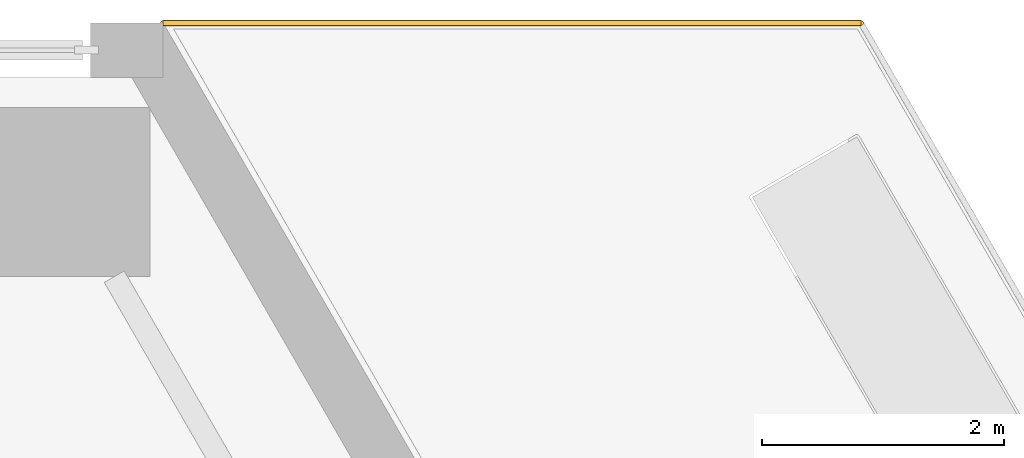
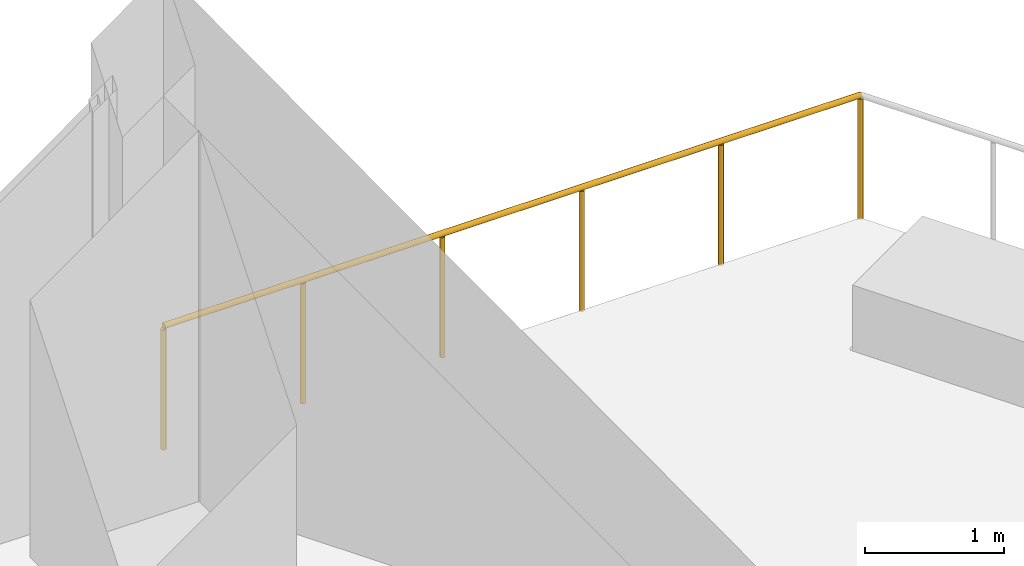
# One storey, part 25 of 25: 1 railing.
"""IFC4 building model written with IfcOpenShell, lengths in metres."""

import ifcopenshell
import ifcopenshell.guid

model = None  # the IFC model being written
_history = None  # IfcOwnerHistory: only IFC2X3 demands one
_inside = {}  # id of a spatial element -> (the spatial element, [elements in it])
_under = {}  # id of a project, library or spatial element -> (it, [spatial elements below it])
_declared = {}  # id of a project -> (the project, [libraries it declares])
_typed = {}  # id of a type object -> (the type object, [elements of that type])
_made_of = {}  # id of a material, layer set ... -> (it, [elements and type objects made of it])


def new_model(schema):
    """Start an empty IFC model of exactly this schema.

    Asked for "IFC4X3", IfcOpenShell would pick the latest addendum, in which some entities
    have other attributes; the version numbers below select the first issue.
    IFC2X3 requires an IfcOwnerHistory on every rooted entity: one is made here for all.
    """
    global model, _history
    if schema == "IFC4X3":
        model = ifcopenshell.file(schema_version=(4, 3, 0, 0))
    else:
        model = ifcopenshell.file(schema=schema)
    _inside.clear()
    _under.clear()
    _declared.clear()
    _typed.clear()
    _made_of.clear()
    _history = None
    if model.schema == "IFC2X3":
        org = make("IfcOrganization", Name="unknown")
        user = make(
            "IfcPersonAndOrganization",
            ThePerson=make("IfcPerson", FamilyName="unknown"),
            TheOrganization=org,
        )
        app = make(
            "IfcApplication",
            ApplicationDeveloper=org,
            Version="unknown",
            ApplicationFullName="unknown",
            ApplicationIdentifier="unknown",
        )
        _history = make(
            "IfcOwnerHistory",
            OwningUser=user,
            OwningApplication=app,
            ChangeAction="ADDED",
            CreationDate=0,
        )
    return model


def make(cls, **values):
    """One entity of the class cls with the attributes given. An attribute that is None is left unset."""
    return model.create_entity(
        cls, **{name: value for name, value in values.items() if value is not None}
    )


def rooted(cls, **values):
    """An entity with a GlobalId (a new one), such as an element, a storey or a relation."""
    return make(cls, GlobalId=ifcopenshell.guid.new(), OwnerHistory=_history, **values)


def si_unit(unit_type, name, prefix=None):
    """IfcSIUnit, for example si_unit("LENGTHUNIT", "METRE", prefix="MILLI")."""
    return make("IfcSIUnit", UnitType=unit_type, Prefix=prefix, Name=name)


def assignment(units):
    """IfcUnitAssignment: the units of a project."""
    return None if units is None else make("IfcUnitAssignment", Units=units)


def point(xyz):
    """IfcCartesianPoint."""
    return None if xyz is None else make("IfcCartesianPoint", Coordinates=xyz)


def direction(xyz):
    """IfcDirection."""
    return None if xyz is None else make("IfcDirection", DirectionRatios=xyz)


def frame(location, z_axis=None, x_axis=None):
    """IfcAxis2Placement3D, a coordinate frame: its origin and axes. An axis left out is left unset."""
    return make(
        "IfcAxis2Placement3D",
        Location=point(location),
        Axis=direction(z_axis),
        RefDirection=direction(x_axis),
    )


def frame_2d(location, x_axis=None):
    """IfcAxis2Placement2D, a coordinate frame in the plane: its origin and x axis."""
    return make(
        "IfcAxis2Placement2D", Location=point(location), RefDirection=direction(x_axis)
    )


def origin():
    """The frame at (0, 0, 0) with its axes left unset."""
    return frame((0.0, 0.0, 0.0))


def origin_2d():
    """The frame at (0, 0) in the plane with its x axis left unset."""
    return frame_2d((0.0, 0.0))


def place(relative_to, where):
    """IfcLocalPlacement: puts the frame where relative to a parent placement (None: the world)."""
    return make(
        "IfcLocalPlacement", PlacementRelTo=relative_to, RelativePlacement=where
    )


def context(
    kind, dimensions, precision=None, world=None, true_north=None, identifier=None
):
    """IfcGeometricRepresentationContext, for example the 3D "Model" context."""
    return make(
        "IfcGeometricRepresentationContext",
        ContextIdentifier=identifier,
        ContextType=kind,
        CoordinateSpaceDimension=dimensions,
        Precision=precision,
        WorldCoordinateSystem=world,
        TrueNorth=true_north,
    )


def subcontext(parent, identifier, kind, view, scale=None):
    """IfcGeometricRepresentationSubContext, for example "Body" below "Model"."""
    return make(
        "IfcGeometricRepresentationSubContext",
        ContextIdentifier=identifier,
        ContextType=kind,
        ParentContext=parent,
        TargetScale=scale,
        TargetView=view,
    )


def project(units=None, contexts=None):
    """IfcProject with its units and contexts."""
    return rooted(
        "IfcProject",
        Name="project",
        RepresentationContexts=contexts,
        UnitsInContext=assignment(units),
    )


def spatial(cls, under=None, at=None, **own):
    """A site, building, storey or space (cls), placed at a placement, below another one or the project."""
    s = rooted(cls, ObjectPlacement=at, **own)
    if under is not None:
        _under.setdefault(under.id(), (under, []))[1].append(s)
    return s


def profile(cls, at=None, kind="AREA", **sizes):
    """A parametric profile (cls). Its sizes go by their IFC names, for example OverallWidth=200.0."""
    return make(cls, ProfileType=kind, Position=at, **sizes)


def circle(**sizes):
    """IfcCircleProfileDef."""
    return profile("IfcCircleProfileDef", **sizes)


def extrude(swept, where, along, depth):
    """IfcExtrudedAreaSolid: the profile swept, set in the frame where, extruded along a direction by depth."""
    return make(
        "IfcExtrudedAreaSolid",
        SweptArea=swept,
        Position=where,
        ExtrudedDirection=direction(along),
        Depth=depth,
    )


def shape(context_of_items, identifier, shape_type, items):
    """IfcShapeRepresentation: the items that make up one representation, for example the "Body"."""
    return make(
        "IfcShapeRepresentation",
        ContextOfItems=context_of_items,
        RepresentationIdentifier=identifier,
        RepresentationType=shape_type,
        Items=items,
    )


def material(Name=None, Category=None):
    """IfcMaterial."""
    return make("IfcMaterial", Name=Name, Category=Category)


def made_of(thing, what):
    """Note that an element or type object is made of a material, layer set ...; save() writes the relation."""
    if what is not None:
        _made_of.setdefault(what.id(), (what, []))[1].append(thing)
    return thing


def type_object(cls, material=None, **own):
    """A type object (cls), such as IfcWallType, which elements share."""
    return made_of(rooted(cls, **own), material)


def element(
    cls,
    number,
    at=None,
    inside=None,
    cuts=None,
    type_object=None,
    material=None,
    context=None,
    identifier="Body",
    shape_type=None,
    held_by="IfcProductDefinitionShape",
    body=None,
    shapes=None,
    **own,
):
    """One element of the class cls, such as IfcWall. Its Tag is "e" and its number.

    at: its placement. inside: the storey or other place that contains it. cuts: it is an
    opening in that element (IfcRelVoidsElement). A single representation is given by context,
    identifier, shape_type and body (its items); several are given by shapes. held_by: the class
    of the entity that holds the representations. save() writes the other relations.
    """
    e = rooted(cls, Tag="e%d" % number, ObjectPlacement=at, **own)
    if body is not None:
        shapes = [shape(context, identifier, shape_type, body)]
    if shapes is not None:
        e.Representation = make(held_by, Representations=shapes)
    if inside is not None:
        _inside.setdefault(inside.id(), (inside, []))[1].append(e)
    if cuts is not None:
        rooted(
            "IfcRelVoidsElement", RelatingBuildingElement=cuts, RelatedOpeningElement=e
        )
    if type_object is not None:
        _typed.setdefault(type_object.id(), (type_object, []))[1].append(e)
    return made_of(e, material)


def aggregate(whole, parts):
    """IfcRelAggregates: a whole, such as a stair, and the parts it consists of."""
    return rooted("IfcRelAggregates", RelatingObject=whole, RelatedObjects=parts)


def save(model, path):
    """Write the relations noted so far, then the file.

    IfcRelAggregates (storeys below a building ...), IfcRelContainedInSpatialStructure (elements
    in a storey), IfcRelDefinesByType, IfcRelAssociatesMaterial and IfcRelDeclares: one each for
    every whole, place, type object, material and project.
    """
    for whole, parts in _under.values():
        aggregate(whole, parts)
    for where, things in _inside.values():
        rooted(
            "IfcRelContainedInSpatialStructure",
            RelatedElements=things,
            RelatingStructure=where,
        )
    for kind, things in _typed.values():
        rooted("IfcRelDefinesByType", RelatedObjects=things, RelatingType=kind)
    for what, things in _made_of.values():
        rooted("IfcRelAssociatesMaterial", RelatedObjects=things, RelatingMaterial=what)
    for by, libraries in _declared.values():
        rooted("IfcRelDeclares", RelatingContext=by, RelatedDefinitions=libraries)
    model.write(path)


model = new_model("IFC4")

# Units and contexts
model_context = context("Model", 3, precision=1e-05, world=origin(), true_north=direction((0.0, 1.0)))
body_context = subcontext(model_context, "Body", "Model", "MODEL_VIEW")
ifc_project = project(units=[si_unit("LENGTHUNIT", "METRE"), si_unit("AREAUNIT", "SQUARE_METRE"), si_unit("VOLUMEUNIT", "CUBIC_METRE"), si_unit("PLANEANGLEUNIT", "RADIAN"), si_unit("MASSUNIT", "GRAM", prefix="KILO")], contexts=[model_context])

# Site, building, storey
site_placement = place(None, origin())
site = spatial("IfcSite", under=ifc_project, at=site_placement, CompositionType="ELEMENT")
building_placement = place(site_placement, origin())
building = spatial("IfcBuilding", under=site, at=building_placement, Name="Aloe Facet Convention Tower", CompositionType="ELEMENT")
storey_placement = place(building_placement, frame((0.0, 0.0, 30.0)))
storey = spatial("IfcBuildingStorey", under=building, at=storey_placement, Name="L05", CompositionType="ELEMENT", Elevation=30.0)

# Railing
ifc_material = material(Name="Steel S355, bronze oxide finish", Category="steel")
railing_type = type_object("IfcRailingType", Name="EV-GUARD-TERR", PredefinedType="GUARDRAIL", material=ifc_material)
railing_placement = place(storey_placement, frame((108.173583984375, 135.0, 0.0)))
element("IfcRailing", 1, at=railing_placement, inside=storey, type_object=railing_type, Name="GUARD PT-L05-1-2", PredefinedType="GUARDRAIL", context=body_context, shape_type="SweptSolid", body=[
    extrude(circle(Radius=0.02392578125, at=origin_2d()), frame((0.0, 0.0, 1.076171875), z_axis=(1.0, 0.0, 0.0), x_axis=(0.0, 1.0, 0.0)), (0.0, 0.0, 1.0), 5.7734375),
    extrude(circle(Radius=0.02099609375, at=origin_2d()), origin(), (0.0, 0.0, 1.0), 1.052001953125),
    extrude(circle(Radius=0.02099609375, at=origin_2d()), frame((1.15478515625, 0.0, 0.0)), (0.0, 0.0, 1.0), 1.052001953125),
    extrude(circle(Radius=0.02099609375, at=origin_2d()), frame((2.309326171875, 0.0, 0.0)), (0.0, 0.0, 1.0), 1.052001953125),
    extrude(circle(Radius=0.02099609375, at=origin_2d()), frame((3.464111328125, 0.0, 0.0)), (0.0, 0.0, 1.0), 1.052001953125),
    extrude(circle(Radius=0.02099609375, at=origin_2d()), frame((4.61865234375, 0.0, 0.0)), (0.0, 0.0, 1.0), 1.052001953125),
    extrude(circle(Radius=0.02099609375, at=origin_2d()), frame((5.7734375, 0.0, 0.0)), (0.0, 0.0, 1.0), 1.052001953125),
])

save(model, "model.ifc")
